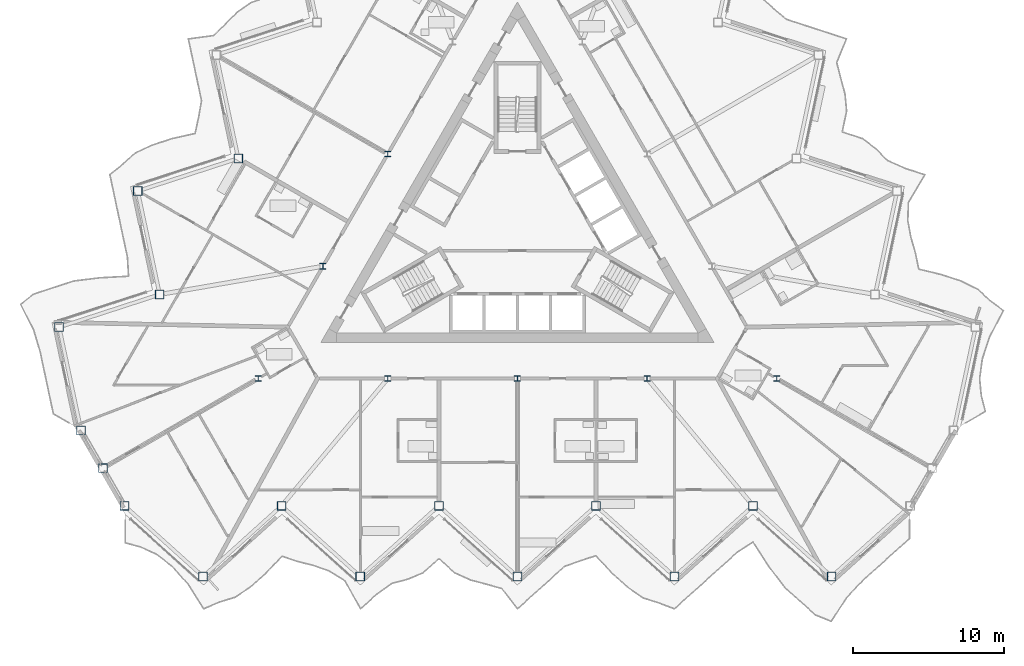
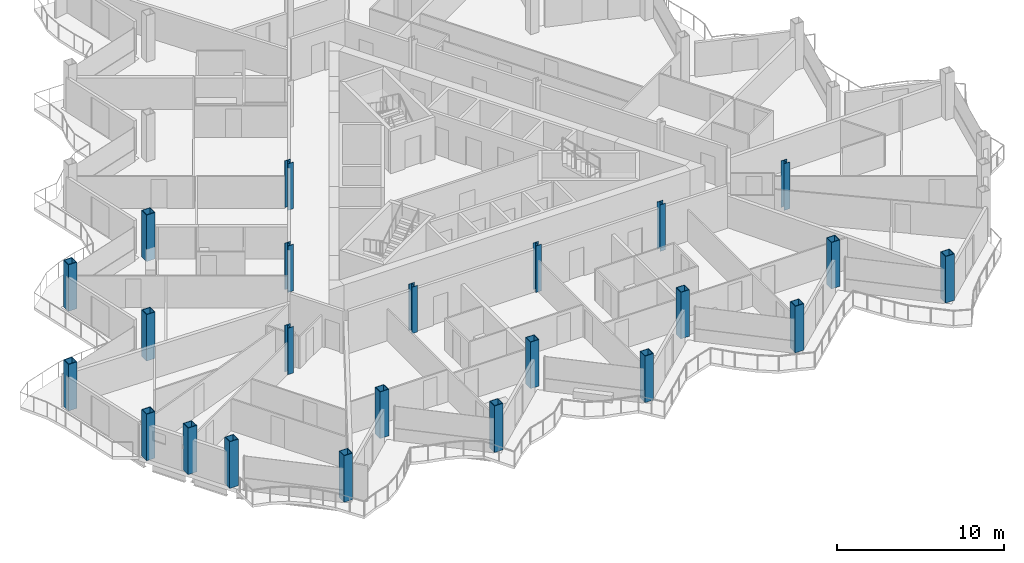
# One storey, part 1 of 27: 23 columns.
"""IFC4 building model written with IfcOpenShell, lengths in metres."""

from ifc_helpers import new_model, si_unit, direction, frame, origin, origin_2d, place, context, subcontext, project, spatial, hollow_rectangle, i_section, extrude, material, material_profile, profile_set, type_object, element, save


model = new_model("IFC4")

# Units and contexts
model_context = context("Model", 3, precision=1e-05, world=origin(), true_north=direction((0.0, 1.0)))
body_context = subcontext(model_context, "Body", "Model", "MODEL_VIEW")
ifc_project = project(units=[si_unit("LENGTHUNIT", "METRE"), si_unit("AREAUNIT", "SQUARE_METRE"), si_unit("VOLUMEUNIT", "CUBIC_METRE"), si_unit("PLANEANGLEUNIT", "RADIAN"), si_unit("MASSUNIT", "GRAM", prefix="KILO")], contexts=[model_context])

# Site, building, storey
site_placement = place(None, origin())
site = spatial("IfcSite", under=ifc_project, at=site_placement, CompositionType="ELEMENT")
building_placement = place(site_placement, origin())
building = spatial("IfcBuilding", under=site, at=building_placement, Name="Cormorant Prow Tower", CompositionType="ELEMENT")
storey_placement = place(building_placement, frame((0.0, 0.0, 318.800048828125)))
storey = spatial("IfcBuildingStorey", under=building, at=storey_placement, Name="L70", CompositionType="ELEMENT", Elevation=318.800048828125)

# Columns
ifc_material_1 = material(Name="Structural steel ASTM A572 Gr 50", Category="steel")
ifc_material_profile_1 = material_profile(ifc_material_1, hollow_rectangle(XDim=0.60009765625, YDim=0.60009765625, WallThickness=0.0400390625, at=origin_2d()), Name="Box 600x600x40")
ifc_profile_set_1 = profile_set([ifc_material_profile_1], Name="Structural steel ASTM A572 Gr 50")
column_type_1 = type_object("IfcColumnType", Name="Perimeter box column 600x600x40", PredefinedType="COLUMN", material=ifc_profile_set_1)
for number, where, z_axis, x_axis, name in (
    (1, (-25.995361328125, -18.326904296875, 0.0), (0.0, 0.0, 1.0), (1.0, 0.0, 0.0), "Perimeter column C6 at S00 L70"),
    (2, (-20.79638671875, -23.008056640625, 0.0), (0.0, 0.0, 1.0), (1.0, 0.0, 0.0), "Perimeter column C6 at S01 L70"),
    (3, (-15.59716796875, -18.326904296875, 0.0), (0.0, 0.0, 1.0), (1.0, 0.0, 0.0), "Perimeter column C6 at S02 L70"),
    (4, (-10.398193359375, -23.008056640625, 0.0), (0.0, 0.0, 1.0), (1.0, 0.0, 0.0), "Perimeter column C6 at S03 L70"),
    (5, (-5.198974609375, -18.326904296875, 0.0), (0.0, 0.0, 1.0), (1.0, 0.0, 0.0), "Perimeter column C6 at S04 L70"),
    (6, (0.0, -23.008056640625, 0.0), (0.0, 0.0, 1.0), (1.0, 0.0, 0.0), "Perimeter column C6 at S05 L70"),
    (7, (5.198974609375, -18.326904296875, 0.0), (0.0, 0.0, 1.0), (1.0, 0.0, 0.0), "Perimeter column C6 at S06 L70"),
    (8, (10.398193359375, -23.008056640625, 0.0), (0.0, 0.0, 1.0), (1.0, 0.0, 0.0), "Perimeter column C6 at S07 L70"),
    (9, (15.59716796875, -18.326904296875, 0.0), (0.0, 0.0, 1.0), (1.0, 0.0, 0.0), "Perimeter column C6 at S08 L70"),
    (10, (20.79638671875, -23.008056640625, 0.0), (0.0, 0.0, 1.0), (1.0, 0.0, 0.0), "Perimeter column C6 at S09 L70"),
    (11, (-18.470947265625, 4.660888671875, 0.0), (0.0, 0.0, 1.0), (1.0, 0.0, 0.0), "Perimeter column C6 at WNW06 L70"),
    (12, (-25.124755859375, 2.4990234375, 0.0), (0.0, 0.0, 1.0), (1.0, 0.0, 0.0), "Perimeter column C6 at WNW07 L70"),
    (13, (-23.670166015625, -4.34423828125, 0.0), (0.0, 0.0, 1.0), (1.0, 0.0, 0.0), "Perimeter column C6 at WNW08 L70"),
    (14, (-30.32373046875, -6.506103515625, 0.0), (0.0, 0.0, 1.0), (1.0, 0.0, 0.0), "Perimeter column C6 at WNW09 L70"),
    (15, (-28.869140625, -13.349365234375, 0.0), (0.0, 0.0, 1.0), (1.0, 0.0, 0.0), "Perimeter column C6 at WSW00 L70"),
    (16, (-27.432373046875, -15.838134765625, 0.0), (0.0, 0.0, 1.0), (1.0, 0.0, 0.0), "Perimeter column C6 at WSW01 L70"),
):
    element("IfcColumn", number, at=place(storey_placement, frame(where, z_axis=z_axis, x_axis=x_axis)), inside=storey, type_object=column_type_1, Name=name, PredefinedType="COLUMN", context=body_context, shape_type="SweptSolid", body=[
        extrude(hollow_rectangle(XDim=0.60009765625, YDim=0.60009765625, WallThickness=0.0400390625, at=origin_2d()), origin(), (0.0, 0.0, 1.0), 3.39990234375),
    ])
ifc_material_2 = material(Name="Structural steel ASTM A992 Gr 50", Category="steel")
ifc_material_profile_2 = material_profile(ifc_material_2, i_section(OverallWidth=0.3955078125, OverallDepth=0.380615234375, WebThickness=0.018798828125, FlangeThickness=0.0302734375, at=origin_2d()), Name="W14x159")
ifc_profile_set_2 = profile_set([ifc_material_profile_2], Name="Structural steel ASTM A992 Gr 50")
column_type_2 = type_object("IfcColumnType", Name="Ring column W14x159", PredefinedType="COLUMN", material=ifc_profile_set_2)
for number, where, z_axis, x_axis, name in (
    (17, (-8.578369140625, 4.952880859375, 0.0), (0.0, 0.0, 1.0), (1.0, 0.0, 0.0), "Ring column 3 L70"),
    (18, (-12.86767578125, -2.476318359375, 0.0), (0.0, 0.0, 1.0), (1.0, 0.0, 0.0), "Ring column 4 L70"),
    (19, (-17.156982421875, -9.905517578125, 0.0), (0.0, 0.0, 1.0), (1.0, 0.0, 0.0), "Ring column 5 L70"),
    (20, (-8.578369140625, -9.905517578125, 0.0), (0.0, 0.0, 1.0), (1.0, 0.0, 0.0), "Ring column 6 L70"),
    (21, (0.0, -9.905517578125, 0.0), (0.0, 0.0, 1.0), (1.0, 0.0, 0.0), "Ring column 7 L70"),
    (22, (8.578369140625, -9.905517578125, 0.0), (0.0, 0.0, 1.0), (1.0, 0.0, 0.0), "Ring column 8 L70"),
    (23, (17.156982421875, -9.905517578125, 0.0), (0.0, 0.0, 1.0), (1.0, 0.0, 0.0), "Ring column 9 L70"),
):
    element("IfcColumn", number, at=place(storey_placement, frame(where, z_axis=z_axis, x_axis=x_axis)), inside=storey, type_object=column_type_2, Name=name, PredefinedType="COLUMN", context=body_context, shape_type="SweptSolid", body=[
        extrude(i_section(OverallWidth=0.3955078125, OverallDepth=0.380615234375, WebThickness=0.018798828125, FlangeThickness=0.0302734375, at=origin_2d()), origin(), (0.0, 0.0, 1.0), 3.39990234375),
    ])

save(model, "model.ifc")
